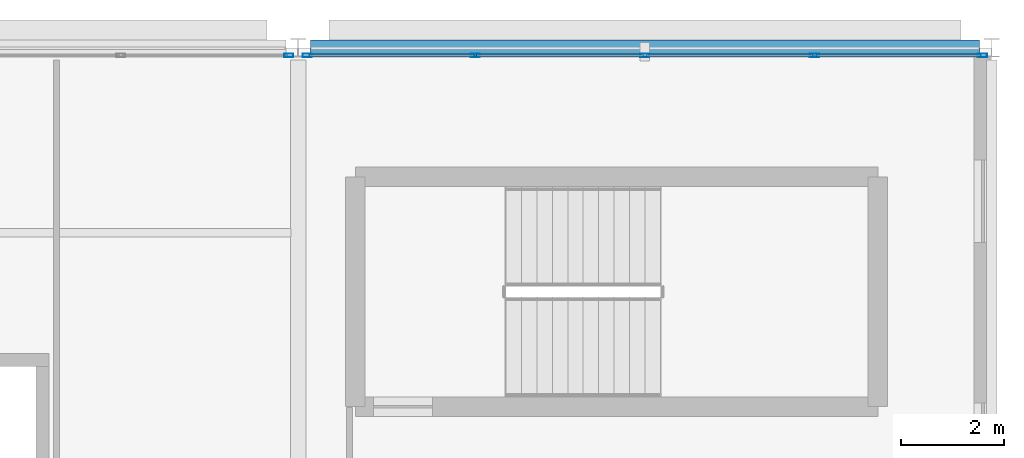
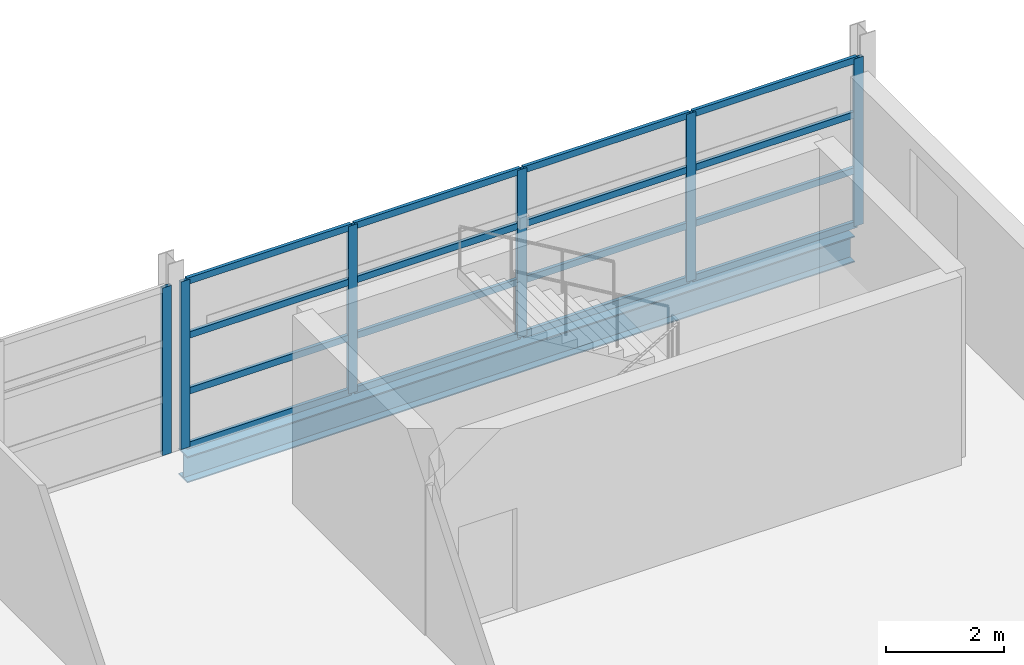
# One storey, part 25 of 33: 22 members, 1 beam, 2 elements without a shape of their own.
"""IFC4 building model written with IfcOpenShell, lengths in metres."""

from ifc_helpers import new_model, si_unit, direction, frame, origin, origin_2d, place, context, subcontext, project, spatial, hollow_rectangle, i_section, extrude, material, layer, layer_set, material_profile, profile_set, type_object, element, aggregate, save


model = new_model("IFC4")

# Units and contexts
model_context = context("Model", 3, precision=1e-05, world=origin(), true_north=direction((0.0, 1.0)))
body_context = subcontext(model_context, "Body", "Model", "MODEL_VIEW")
ifc_project = project(units=[si_unit("LENGTHUNIT", "METRE"), si_unit("AREAUNIT", "SQUARE_METRE"), si_unit("VOLUMEUNIT", "CUBIC_METRE"), si_unit("PLANEANGLEUNIT", "RADIAN"), si_unit("MASSUNIT", "GRAM", prefix="KILO")], contexts=[model_context])

# Site, building, storey
site_placement = place(None, origin())
site = spatial("IfcSite", under=ifc_project, at=site_placement, CompositionType="ELEMENT")
building_placement = place(site_placement, origin())
building = spatial("IfcBuilding", under=site, at=building_placement, Name="Tamarisk Ironworks Central Station", CompositionType="ELEMENT")
storey_placement = place(building_placement, frame((0.0, 0.0, 21.300048828125)))
storey = spatial("IfcBuildingStorey", under=building, at=storey_placement, Name="L04", CompositionType="ELEMENT", Elevation=21.300048828125)

# Beam
ifc_material_1 = material(Name="Structural steel S355J2", Category="steel")
ifc_material_profile_1 = material_profile(ifc_material_1, i_section(OverallWidth=0.300048828125, OverallDepth=0.5400390625, WebThickness=0.012451171875, FlangeThickness=0.02392578125, at=origin_2d()), Name="HEA 550")
ifc_profile_set_1 = profile_set([ifc_material_profile_1], Name="Structural steel S355J2")
beam_type = type_object("IfcBeamType", Name="BM-G04", PredefinedType="BEAM", material=ifc_profile_set_1)
beam_placement = place(storey_placement, frame((166.738037109375, 122.39990234375, -0.489990234375), z_axis=(1.0, 0.0, 0.0), x_axis=(0.0, 1.0, 0.0)))
element("IfcBeam", 1, at=beam_placement, inside=storey, type_object=beam_type, Name="L04 primary girder X-0729", PredefinedType="BEAM", context=body_context, shape_type="SweptSolid", body=[
    extrude(i_section(OverallWidth=0.300048828125, OverallDepth=0.5400390625, WebThickness=0.012451171875, FlangeThickness=0.02392578125, at=origin_2d()), origin(), (0.0, 0.0, 1.0), 13.02392578125),
])

# Curtain wall, member
ifc_material_2 = material(Name="Anodized aluminium alloy 6063-T6", Category="aluminium")
ifc_layer = layer(ifc_material_2, 0.179931640625)
ifc_layer_set = layer_set([ifc_layer], Name="Anodized aluminium alloy 6063-T6")
curtain_wall_type = type_object("IfcCurtainWallType", Name="CW-19", PredefinedType="USERDEFINED", material=ifc_layer_set)
curtain_wall_1_placement = place(storey_placement, origin())
curtain_wall_1 = element("IfcCurtainWall", 2, at=curtain_wall_1_placement, inside=storey, type_object=curtain_wall_type, Name="Operations L04 north facade curtain wall 153", ObjectType="GLAZED CURTAIN WALL", PredefinedType="USERDEFINED")
ifc_material_profile_2 = material_profile(ifc_material_2, hollow_rectangle(XDim=0.06494140625, YDim=0.179931640625, WallThickness=0.00390625, at=origin_2d()), Name="ALUM 180x65")
ifc_profile_set_2 = profile_set([ifc_material_profile_2], Name="Anodized aluminium alloy 6063-T6")
member_type_1 = type_object("IfcMemberType", Name="CWM-02", PredefinedType="MULLION", material=ifc_profile_set_2)
member_1_placement = place(storey_placement, frame((166.319580078125, 122.25, 0.0), z_axis=(0.0, 0.0, 1.0), x_axis=(0.0, 1.0, 0.0)))
member_1 = element("IfcMember", 3, at=member_1_placement, type_object=member_type_1, Name="CW19 mullion 5", PredefinedType="MULLION", context=body_context, shape_type="SweptSolid", body=[
    extrude(hollow_rectangle(XDim=0.06494140625, YDim=0.179931640625, WallThickness=0.00390625, at=origin_2d()), origin(), (0.0, 0.0, 1.0), 3.4599609375),
])
aggregate(curtain_wall_1, [member_1])

# Curtain wall, members
curtain_wall_2_placement = place(storey_placement, origin())
curtain_wall_2 = element("IfcCurtainWall", 4, at=curtain_wall_2_placement, inside=storey, type_object=curtain_wall_type, Name="Operations L04 north facade curtain wall 166", ObjectType="GLAZED CURTAIN WALL", PredefinedType="USERDEFINED")
member_2_placement = place(storey_placement, frame((166.680419921875, 122.25, 0.0), z_axis=(0.0, 0.0, 1.0), x_axis=(0.0, 1.0, 0.0)))
member_2 = element("IfcMember", 5, at=member_2_placement, type_object=member_type_1, Name="CW19 mullion 1", PredefinedType="MULLION", context=body_context, shape_type="SweptSolid", body=[
    extrude(hollow_rectangle(XDim=0.06494140625, YDim=0.179931640625, WallThickness=0.00390625, at=origin_2d()), origin(), (0.0, 0.0, 1.0), 3.4599609375),
])
member_3_placement = place(storey_placement, frame((169.948974609375, 122.25, 0.0), z_axis=(0.0, 0.0, 1.0), x_axis=(0.0, 1.0, 0.0)))
member_3 = element("IfcMember", 6, at=member_3_placement, type_object=member_type_1, Name="CW19 mullion 2", PredefinedType="MULLION", context=body_context, shape_type="SweptSolid", body=[
    extrude(hollow_rectangle(XDim=0.06494140625, YDim=0.179931640625, WallThickness=0.00390625, at=origin_2d()), origin(), (0.0, 0.0, 1.0), 3.4599609375),
])
member_4_placement = place(storey_placement, frame((173.25, 122.25, 0.0), z_axis=(0.0, 0.0, 1.0), x_axis=(0.0, 1.0, 0.0)))
member_4 = element("IfcMember", 7, at=member_4_placement, type_object=member_type_1, Name="CW19 mullion 3", PredefinedType="MULLION", context=body_context, shape_type="SweptSolid", body=[
    extrude(hollow_rectangle(XDim=0.06494140625, YDim=0.179931640625, WallThickness=0.00390625, at=origin_2d()), origin(), (0.0, 0.0, 1.0), 3.4599609375),
])
member_5_placement = place(storey_placement, frame((176.551025390625, 122.25, 0.0), z_axis=(0.0, 0.0, 1.0), x_axis=(0.0, 1.0, 0.0)))
member_5 = element("IfcMember", 8, at=member_5_placement, type_object=member_type_1, Name="CW19 mullion 4", PredefinedType="MULLION", context=body_context, shape_type="SweptSolid", body=[
    extrude(hollow_rectangle(XDim=0.06494140625, YDim=0.179931640625, WallThickness=0.00390625, at=origin_2d()), origin(), (0.0, 0.0, 1.0), 3.4599609375),
])
member_6_placement = place(storey_placement, frame((179.819580078125, 122.25, 0.0), z_axis=(0.0, 0.0, 1.0), x_axis=(0.0, 1.0, 0.0)))
member_6 = element("IfcMember", 9, at=member_6_placement, type_object=member_type_1, Name="CW19 mullion 5", PredefinedType="MULLION", context=body_context, shape_type="SweptSolid", body=[
    extrude(hollow_rectangle(XDim=0.06494140625, YDim=0.179931640625, WallThickness=0.00390625, at=origin_2d()), origin(), (0.0, 0.0, 1.0), 3.4599609375),
])
ifc_material_profile_3 = material_profile(ifc_material_2, hollow_rectangle(XDim=0.06494140625, YDim=0.135009765625, WallThickness=0.00341796875, at=origin_2d()), Name="ALUM 135x65")
ifc_profile_set_3 = profile_set([ifc_material_profile_3], Name="Anodized aluminium alloy 6063-T6")
member_type_2 = type_object("IfcMemberType", Name="CWT-02", PredefinedType="USERDEFINED", material=ifc_profile_set_3)
member_7_placement = place(storey_placement, frame((166.708984375, 122.25, 0.032470703125), z_axis=(1.0, 0.0, 0.0), x_axis=(0.0, 1.0, 0.0)))
member_7 = element("IfcMember", 10, at=member_7_placement, type_object=member_type_2, Name="CW19 transom 1.1", ObjectType="TRANSOM", PredefinedType="USERDEFINED", context=body_context, shape_type="SweptSolid", body=[
    extrude(hollow_rectangle(XDim=0.06494140625, YDim=0.135009765625, WallThickness=0.00341796875, at=origin_2d()), origin(), (0.0, 0.0, 1.0), 3.21142578125),
])
member_8_placement = place(storey_placement, frame((166.708984375, 122.25, 1.1533203125), z_axis=(1.0, 0.0, 0.0), x_axis=(0.0, 1.0, 0.0)))
member_8 = element("IfcMember", 11, at=member_8_placement, type_object=member_type_2, Name="CW19 transom 1.2", ObjectType="TRANSOM", PredefinedType="USERDEFINED", context=body_context, shape_type="SweptSolid", body=[
    extrude(hollow_rectangle(XDim=0.06494140625, YDim=0.135009765625, WallThickness=0.00341796875, at=origin_2d()), origin(), (0.0, 0.0, 1.0), 3.21142578125),
])
member_9_placement = place(storey_placement, frame((166.708984375, 122.25, 2.306640625), z_axis=(1.0, 0.0, 0.0), x_axis=(0.0, 1.0, 0.0)))
member_9 = element("IfcMember", 12, at=member_9_placement, type_object=member_type_2, Name="CW19 transom 1.3", ObjectType="TRANSOM", PredefinedType="USERDEFINED", context=body_context, shape_type="SweptSolid", body=[
    extrude(hollow_rectangle(XDim=0.06494140625, YDim=0.135009765625, WallThickness=0.00341796875, at=origin_2d()), origin(), (0.0, 0.0, 1.0), 3.21142578125),
])
member_10_placement = place(storey_placement, frame((166.708984375, 122.25, 3.427490234375), z_axis=(1.0, 0.0, 0.0), x_axis=(0.0, 1.0, 0.0)))
member_10 = element("IfcMember", 13, at=member_10_placement, type_object=member_type_2, Name="CW19 transom 1.4", ObjectType="TRANSOM", PredefinedType="USERDEFINED", context=body_context, shape_type="SweptSolid", body=[
    extrude(hollow_rectangle(XDim=0.06494140625, YDim=0.135009765625, WallThickness=0.00341796875, at=origin_2d()), origin(), (0.0, 0.0, 1.0), 3.21142578125),
])
member_11_placement = place(storey_placement, frame((169.9775390625, 122.25, 0.032470703125), z_axis=(1.0, 0.0, 0.0), x_axis=(0.0, 1.0, 0.0)))
member_11 = element("IfcMember", 14, at=member_11_placement, type_object=member_type_2, Name="CW19 transom 2.1", ObjectType="TRANSOM", PredefinedType="USERDEFINED", context=body_context, shape_type="SweptSolid", body=[
    extrude(hollow_rectangle(XDim=0.06494140625, YDim=0.135009765625, WallThickness=0.00341796875, at=origin_2d()), origin(), (0.0, 0.0, 1.0), 3.243896484375),
])
member_12_placement = place(storey_placement, frame((169.9775390625, 122.25, 1.1533203125), z_axis=(1.0, 0.0, 0.0), x_axis=(0.0, 1.0, 0.0)))
member_12 = element("IfcMember", 15, at=member_12_placement, type_object=member_type_2, Name="CW19 transom 2.2", ObjectType="TRANSOM", PredefinedType="USERDEFINED", context=body_context, shape_type="SweptSolid", body=[
    extrude(hollow_rectangle(XDim=0.06494140625, YDim=0.135009765625, WallThickness=0.00341796875, at=origin_2d()), origin(), (0.0, 0.0, 1.0), 3.243896484375),
])
member_13_placement = place(storey_placement, frame((169.9775390625, 122.25, 2.306640625), z_axis=(1.0, 0.0, 0.0), x_axis=(0.0, 1.0, 0.0)))
member_13 = element("IfcMember", 16, at=member_13_placement, type_object=member_type_2, Name="CW19 transom 2.3", ObjectType="TRANSOM", PredefinedType="USERDEFINED", context=body_context, shape_type="SweptSolid", body=[
    extrude(hollow_rectangle(XDim=0.06494140625, YDim=0.135009765625, WallThickness=0.00341796875, at=origin_2d()), origin(), (0.0, 0.0, 1.0), 3.243896484375),
])
member_14_placement = place(storey_placement, frame((169.9775390625, 122.25, 3.427490234375), z_axis=(1.0, 0.0, 0.0), x_axis=(0.0, 1.0, 0.0)))
member_14 = element("IfcMember", 17, at=member_14_placement, type_object=member_type_2, Name="CW19 transom 2.4", ObjectType="TRANSOM", PredefinedType="USERDEFINED", context=body_context, shape_type="SweptSolid", body=[
    extrude(hollow_rectangle(XDim=0.06494140625, YDim=0.135009765625, WallThickness=0.00341796875, at=origin_2d()), origin(), (0.0, 0.0, 1.0), 3.243896484375),
])
member_15_placement = place(storey_placement, frame((173.278564453125, 122.25, 0.032470703125), z_axis=(1.0, 0.0, 0.0), x_axis=(0.0, 1.0, 0.0)))
member_15 = element("IfcMember", 18, at=member_15_placement, type_object=member_type_2, Name="CW19 transom 3.1", ObjectType="TRANSOM", PredefinedType="USERDEFINED", context=body_context, shape_type="SweptSolid", body=[
    extrude(hollow_rectangle(XDim=0.06494140625, YDim=0.135009765625, WallThickness=0.00341796875, at=origin_2d()), origin(), (0.0, 0.0, 1.0), 3.243896484375),
])
member_16_placement = place(storey_placement, frame((173.278564453125, 122.25, 1.1533203125), z_axis=(1.0, 0.0, 0.0), x_axis=(0.0, 1.0, 0.0)))
member_16 = element("IfcMember", 19, at=member_16_placement, type_object=member_type_2, Name="CW19 transom 3.2", ObjectType="TRANSOM", PredefinedType="USERDEFINED", context=body_context, shape_type="SweptSolid", body=[
    extrude(hollow_rectangle(XDim=0.06494140625, YDim=0.135009765625, WallThickness=0.00341796875, at=origin_2d()), origin(), (0.0, 0.0, 1.0), 3.243896484375),
])
member_17_placement = place(storey_placement, frame((173.278564453125, 122.25, 2.306640625), z_axis=(1.0, 0.0, 0.0), x_axis=(0.0, 1.0, 0.0)))
member_17 = element("IfcMember", 20, at=member_17_placement, type_object=member_type_2, Name="CW19 transom 3.3", ObjectType="TRANSOM", PredefinedType="USERDEFINED", context=body_context, shape_type="SweptSolid", body=[
    extrude(hollow_rectangle(XDim=0.06494140625, YDim=0.135009765625, WallThickness=0.00341796875, at=origin_2d()), origin(), (0.0, 0.0, 1.0), 3.243896484375),
])
member_18_placement = place(storey_placement, frame((173.278564453125, 122.25, 3.427490234375), z_axis=(1.0, 0.0, 0.0), x_axis=(0.0, 1.0, 0.0)))
member_18 = element("IfcMember", 21, at=member_18_placement, type_object=member_type_2, Name="CW19 transom 3.4", ObjectType="TRANSOM", PredefinedType="USERDEFINED", context=body_context, shape_type="SweptSolid", body=[
    extrude(hollow_rectangle(XDim=0.06494140625, YDim=0.135009765625, WallThickness=0.00341796875, at=origin_2d()), origin(), (0.0, 0.0, 1.0), 3.243896484375),
])
member_19_placement = place(storey_placement, frame((176.57958984375, 122.25, 0.032470703125), z_axis=(1.0, 0.0, 0.0), x_axis=(0.0, 1.0, 0.0)))
member_19 = element("IfcMember", 22, at=member_19_placement, type_object=member_type_2, Name="CW19 transom 4.1", ObjectType="TRANSOM", PredefinedType="USERDEFINED", context=body_context, shape_type="SweptSolid", body=[
    extrude(hollow_rectangle(XDim=0.06494140625, YDim=0.135009765625, WallThickness=0.00341796875, at=origin_2d()), origin(), (0.0, 0.0, 1.0), 3.21142578125),
])
member_20_placement = place(storey_placement, frame((176.57958984375, 122.25, 1.1533203125), z_axis=(1.0, 0.0, 0.0), x_axis=(0.0, 1.0, 0.0)))
member_20 = element("IfcMember", 23, at=member_20_placement, type_object=member_type_2, Name="CW19 transom 4.2", ObjectType="TRANSOM", PredefinedType="USERDEFINED", context=body_context, shape_type="SweptSolid", body=[
    extrude(hollow_rectangle(XDim=0.06494140625, YDim=0.135009765625, WallThickness=0.00341796875, at=origin_2d()), origin(), (0.0, 0.0, 1.0), 3.21142578125),
])
member_21_placement = place(storey_placement, frame((176.57958984375, 122.25, 2.306640625), z_axis=(1.0, 0.0, 0.0), x_axis=(0.0, 1.0, 0.0)))
member_21 = element("IfcMember", 24, at=member_21_placement, type_object=member_type_2, Name="CW19 transom 4.3", ObjectType="TRANSOM", PredefinedType="USERDEFINED", context=body_context, shape_type="SweptSolid", body=[
    extrude(hollow_rectangle(XDim=0.06494140625, YDim=0.135009765625, WallThickness=0.00341796875, at=origin_2d()), origin(), (0.0, 0.0, 1.0), 3.21142578125),
])
member_22_placement = place(storey_placement, frame((176.57958984375, 122.25, 3.427490234375), z_axis=(1.0, 0.0, 0.0), x_axis=(0.0, 1.0, 0.0)))
member_22 = element("IfcMember", 25, at=member_22_placement, type_object=member_type_2, Name="CW19 transom 4.4", ObjectType="TRANSOM", PredefinedType="USERDEFINED", context=body_context, shape_type="SweptSolid", body=[
    extrude(hollow_rectangle(XDim=0.06494140625, YDim=0.135009765625, WallThickness=0.00341796875, at=origin_2d()), origin(), (0.0, 0.0, 1.0), 3.21142578125),
])
aggregate(curtain_wall_2, [member_2, member_3, member_4, member_5, member_6, member_7, member_8, member_9, member_10, member_11, member_12, member_13, member_14, member_15, member_16, member_17, member_18, member_19, member_20, member_21, member_22])

save(model, "model.ifc")
